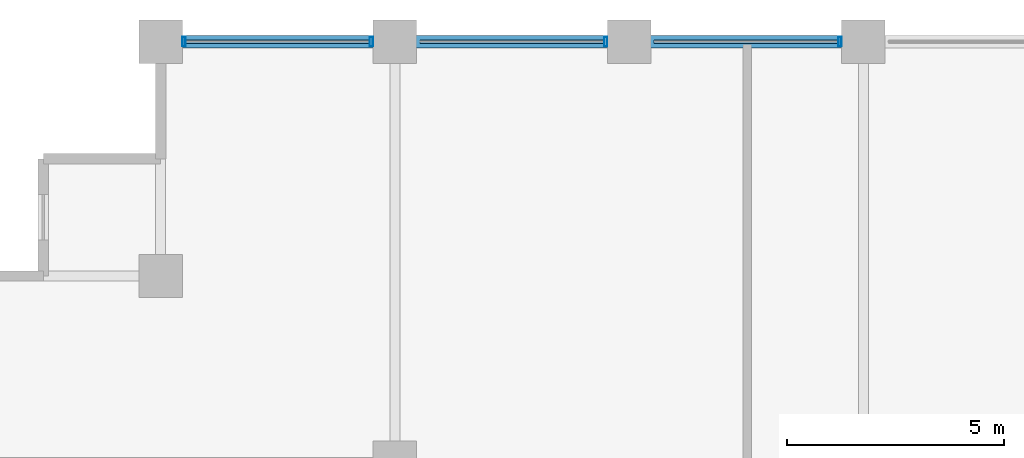
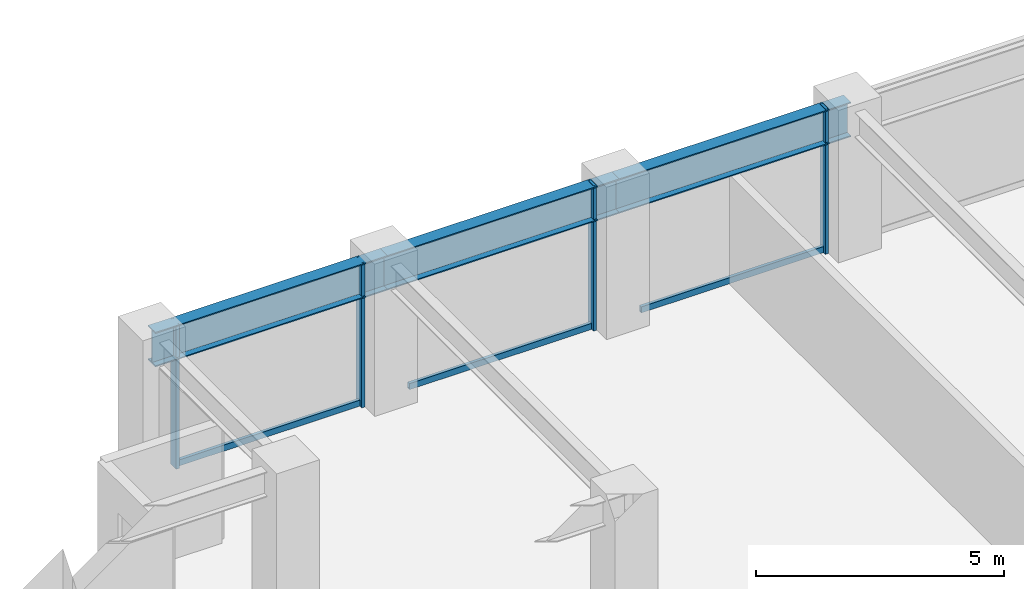
# One storey, part 12 of 23: 7 members, 3 beams, 1 element without a shape of its own.
"""IFC4 building model written with IfcOpenShell, lengths in metres."""

from ifc_helpers import new_model, si_unit, direction, frame, origin, origin_2d, place, context, subcontext, project, spatial, hollow_rectangle, i_section, extrude, material, layer, layer_set, material_profile, profile_set, type_object, element, aggregate, save


model = new_model("IFC4")

# Units and contexts
model_context = context("Model", 3, precision=1e-05, world=origin(), true_north=direction((0.0, 1.0)))
body_context = subcontext(model_context, "Body", "Model", "MODEL_VIEW")
ifc_project = project(units=[si_unit("LENGTHUNIT", "METRE"), si_unit("AREAUNIT", "SQUARE_METRE"), si_unit("VOLUMEUNIT", "CUBIC_METRE"), si_unit("PLANEANGLEUNIT", "RADIAN"), si_unit("MASSUNIT", "GRAM", prefix="KILO")], contexts=[model_context])

# Site, building, storey
site_placement = place(None, origin())
site = spatial("IfcSite", under=ifc_project, at=site_placement, CompositionType="ELEMENT")
building_placement = place(site_placement, origin())
building = spatial("IfcBuilding", under=site, at=building_placement, Name="Surkhivell Harbour Commons", CompositionType="ELEMENT")
storey_placement = place(building_placement, frame((0.0, 0.0, 132.0)))
storey = spatial("IfcBuildingStorey", under=building, at=storey_placement, Name="L34", CompositionType="ELEMENT", Elevation=132.0)

# Beams
ifc_material_1 = material(Name="Steel S460", Category="steel")
ifc_material_profile_1 = material_profile(ifc_material_1, i_section(OverallWidth=0.2939453125, OverallDepth=0.85107421875, WebThickness=0.01611328125, FlangeThickness=0.02685546875, at=origin_2d()), Name="UB838x292x226")
ifc_profile_set_1 = profile_set([ifc_material_profile_1], Name="Steel S460")
beam_type = type_object("IfcBeamType", Name="BM-SPN-838", PredefinedType="SPANDREL", material=ifc_profile_set_1)
beam_1_placement = place(storey_placement, frame((-27.0, 25.89990234375, 3.14453125), z_axis=(1.0, 0.0, 0.0), x_axis=(0.0, 1.0, 0.0)))
element("IfcBeam", 1, at=beam_1_placement, inside=storey, type_object=beam_type, Name="L34 Tube Spandrel (-27.0,25.9)", PredefinedType="SPANDREL", context=body_context, shape_type="SweptSolid", body=[
    extrude(i_section(OverallWidth=0.2939453125, OverallDepth=0.85107421875, WebThickness=0.01611328125, FlangeThickness=0.02685546875, at=origin_2d()), origin(), (0.0, 0.0, 1.0), 5.39990234375),
])
beam_2_placement = place(storey_placement, frame((-21.60009765625, 25.89990234375, 3.14453125), z_axis=(1.0, 0.0, 0.0), x_axis=(0.0, 1.0, 0.0)))
element("IfcBeam", 2, at=beam_2_placement, inside=storey, type_object=beam_type, Name="L34 Tube Spandrel (-21.6,25.9)", PredefinedType="SPANDREL", context=body_context, shape_type="SweptSolid", body=[
    extrude(i_section(OverallWidth=0.2939453125, OverallDepth=0.85107421875, WebThickness=0.01611328125, FlangeThickness=0.02685546875, at=origin_2d()), origin(), (0.0, 0.0, 1.0), 5.400146484375),
])
beam_3_placement = place(storey_placement, frame((-16.199951171875, 25.89990234375, 3.14453125), z_axis=(1.0, 0.0, 0.0), x_axis=(0.0, 1.0, 0.0)))
element("IfcBeam", 3, at=beam_3_placement, inside=storey, type_object=beam_type, Name="L34 Tube Spandrel (-16.2,25.9)", PredefinedType="SPANDREL", context=body_context, shape_type="SweptSolid", body=[
    extrude(i_section(OverallWidth=0.2939453125, OverallDepth=0.85107421875, WebThickness=0.01611328125, FlangeThickness=0.02685546875, at=origin_2d()), origin(), (0.0, 0.0, 1.0), 5.39990234375),
])

# Curtain wall, members
ifc_material_2 = material(Name="Anodised pale-metal aluminium and insulated glazing", Category="aluminium")
ifc_layer = layer(ifc_material_2, 0.205078125)
ifc_layer_set = layer_set([ifc_layer], Name="Anodised pale-metal aluminium and insulated glazing")
curtain_wall_type = type_object("IfcCurtainWallType", Name="CW-SYS-Z2", PredefinedType="NOTDEFINED", material=ifc_layer_set)
curtain_wall_placement = place(storey_placement, origin())
curtain_wall = element("IfcCurtainWall", 4, at=curtain_wall_placement, inside=storey, type_object=curtain_wall_type, Name="L34 Curtain Wall CW-L34-E07S2", PredefinedType="NOTDEFINED")
ifc_material_3 = material(Name="Anodised pale-metal aluminium alloy 6063-T6", Category="aluminium")
ifc_material_profile_2 = material_profile(ifc_material_3, hollow_rectangle(XDim=0.074951171875, YDim=0.219970703125, WallThickness=0.00390625, at=origin_2d()), Name="ALU-MULL-75x220")
ifc_profile_set_2 = profile_set([ifc_material_profile_2], Name="Anodised pale-metal aluminium alloy 6063-T6")
member_type_1 = type_object("IfcMemberType", Name="CWM-220", PredefinedType="MULLION", material=ifc_profile_set_2)
member_1_placement = place(storey_placement, frame((-11.339599609375, 25.89990234375, 0.0), z_axis=(0.0, 0.0, 1.0), x_axis=(-1.0, 0.0, 0.0)))
member_1 = element("IfcMember", 5, at=member_1_placement, type_object=member_type_1, Name="CW-Z2 mullion 2", PredefinedType="MULLION", context=body_context, shape_type="SweptSolid", body=[
    extrude(hollow_rectangle(XDim=0.074951171875, YDim=0.219970703125, WallThickness=0.00390625, at=origin_2d()), origin(), (0.0, 0.0, 1.0), 3.570068359375),
])
member_2_placement = place(storey_placement, frame((-16.739501953125, 25.89990234375, 0.0), z_axis=(0.0, 0.0, 1.0), x_axis=(-1.0, 0.0, 0.0)))
member_2 = element("IfcMember", 6, at=member_2_placement, type_object=member_type_1, Name="CW-Z2 mullion 3", PredefinedType="MULLION", context=body_context, shape_type="SweptSolid", body=[
    extrude(hollow_rectangle(XDim=0.074951171875, YDim=0.219970703125, WallThickness=0.00390625, at=origin_2d()), origin(), (0.0, 0.0, 1.0), 3.570068359375),
])
member_3_placement = place(storey_placement, frame((-22.139404296875, 25.89990234375, 0.0), z_axis=(0.0, 0.0, 1.0), x_axis=(-1.0, 0.0, 0.0)))
member_3 = element("IfcMember", 7, at=member_3_placement, type_object=member_type_1, Name="CW-Z2 mullion 4", PredefinedType="MULLION", context=body_context, shape_type="SweptSolid", body=[
    extrude(hollow_rectangle(XDim=0.074951171875, YDim=0.219970703125, WallThickness=0.00390625, at=origin_2d()), origin(), (0.0, 0.0, 1.0), 3.570068359375),
])
member_4_placement = place(storey_placement, frame((-26.46044921875, 25.89990234375, 0.0), z_axis=(0.0, 0.0, 1.0), x_axis=(-1.0, 0.0, 0.0)))
member_4 = element("IfcMember", 8, at=member_4_placement, type_object=member_type_1, Name="CW-Z2 mullion 5", PredefinedType="MULLION", context=body_context, shape_type="SweptSolid", body=[
    extrude(hollow_rectangle(XDim=0.074951171875, YDim=0.219970703125, WallThickness=0.00390625, at=origin_2d()), origin(), (0.0, 0.0, 1.0), 3.570068359375),
])
ifc_material_profile_3 = material_profile(ifc_material_3, hollow_rectangle(XDim=0.074951171875, YDim=0.14990234375, WallThickness=0.00341796875, at=origin_2d()), Name="ALU-TRAN-75x150")
ifc_profile_set_3 = profile_set([ifc_material_profile_3], Name="Anodised pale-metal aluminium alloy 6063-T6")
member_type_2 = type_object("IfcMemberType", Name="CWT-150", PredefinedType="USERDEFINED", material=ifc_profile_set_3)
member_5_placement = place(storey_placement, frame((-11.376953125, 25.89990234375, 0.074951171875), z_axis=(-1.0, 0.0, 0.0), x_axis=(0.0, -1.0, 0.0)))
member_5 = element("IfcMember", 9, at=member_5_placement, type_object=member_type_2, Name="CW-Z2 transom 2.1", ObjectType="TRANSOM", PredefinedType="USERDEFINED", context=body_context, shape_type="SweptSolid", body=[
    extrude(hollow_rectangle(XDim=0.074951171875, YDim=0.14990234375, WallThickness=0.00341796875, at=origin_2d()), origin(), (0.0, 0.0, 1.0), 4.24609375),
])
member_6_placement = place(storey_placement, frame((-16.777099609375, 25.89990234375, 0.074951171875), z_axis=(-1.0, 0.0, 0.0), x_axis=(0.0, -1.0, 0.0)))
member_6 = element("IfcMember", 10, at=member_6_placement, type_object=member_type_2, Name="CW-Z2 transom 3.1", ObjectType="TRANSOM", PredefinedType="USERDEFINED", context=body_context, shape_type="SweptSolid", body=[
    extrude(hollow_rectangle(XDim=0.074951171875, YDim=0.14990234375, WallThickness=0.00341796875, at=origin_2d()), origin(), (0.0, 0.0, 1.0), 4.245849609375),
])
member_7_placement = place(storey_placement, frame((-22.177001953125, 25.89990234375, 0.074951171875), z_axis=(-1.0, 0.0, 0.0), x_axis=(0.0, -1.0, 0.0)))
member_7 = element("IfcMember", 11, at=member_7_placement, type_object=member_type_2, Name="CW-Z2 transom 4.1", ObjectType="TRANSOM", PredefinedType="USERDEFINED", context=body_context, shape_type="SweptSolid", body=[
    extrude(hollow_rectangle(XDim=0.074951171875, YDim=0.14990234375, WallThickness=0.00341796875, at=origin_2d()), origin(), (0.0, 0.0, 1.0), 4.24609375),
])
aggregate(curtain_wall, [member_1, member_5, member_2, member_6, member_3, member_4, member_7])

save(model, "model.ifc")
